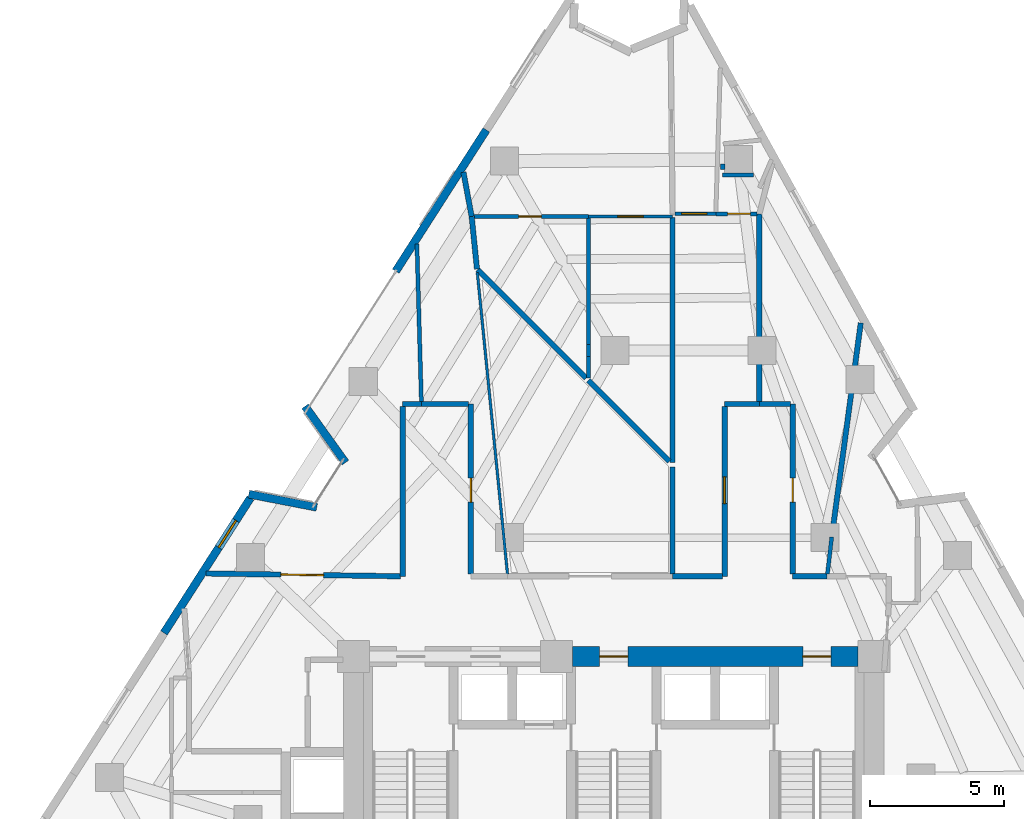
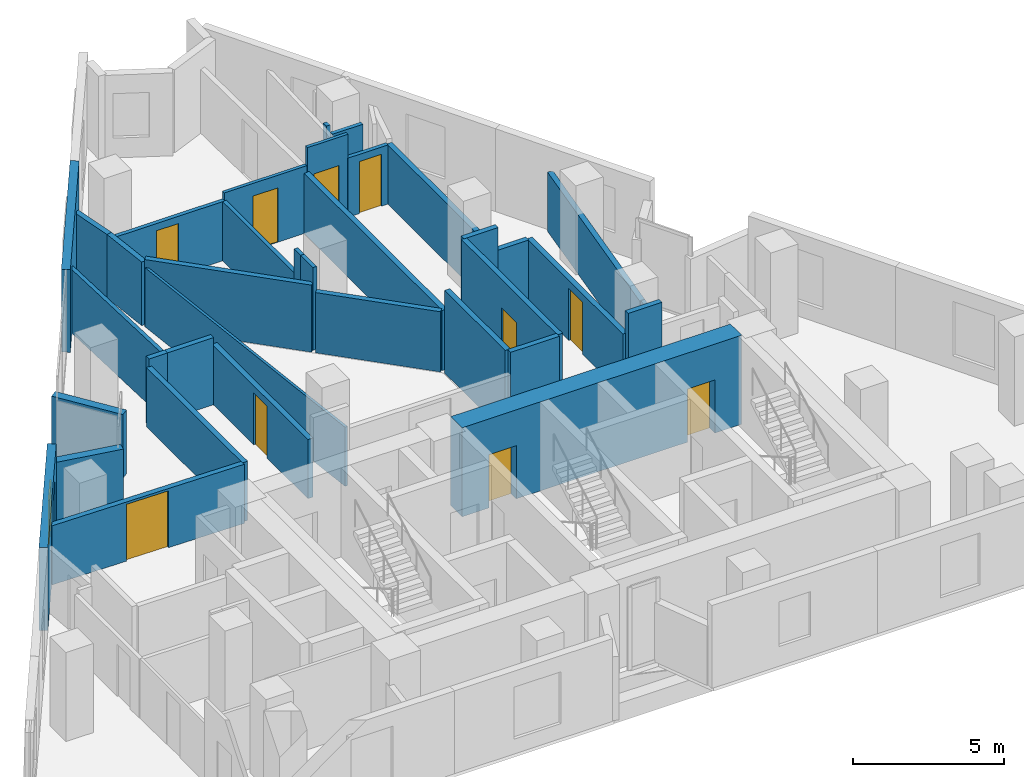
# One storey, part 7 of 10: 36 walls, 10 doors, 1 window, 11 openings.
"""IFC4 building model written with IfcOpenShell, lengths in metres."""

from ifc_helpers import new_model, si_unit, direction, frame, frame_2d, origin, place, context, subcontext, project, spatial, rectangle, extrude, material, layer, layer_set, type_object, element, fill, save


model = new_model("IFC4")

# Units and contexts
model_context = context("Model", 3, precision=1e-05, world=origin(), true_north=direction((0.0, 1.0)))
body_context = subcontext(model_context, "Body", "Model", "MODEL_VIEW")
ifc_project = project(units=[si_unit("LENGTHUNIT", "METRE"), si_unit("AREAUNIT", "SQUARE_METRE"), si_unit("VOLUMEUNIT", "CUBIC_METRE"), si_unit("PLANEANGLEUNIT", "RADIAN"), si_unit("MASSUNIT", "GRAM", prefix="KILO")], contexts=[model_context])

# Site, building, storey
site_placement = place(None, origin())
site = spatial("IfcSite", under=ifc_project, at=site_placement, CompositionType="ELEMENT")
building_placement = place(site_placement, origin())
building = spatial("IfcBuilding", under=site, at=building_placement, Name="Almagre Mirador Tower", CompositionType="ELEMENT")
storey_placement = place(building_placement, frame((0.0, 0.0, 164.39990234375)))
storey = spatial("IfcBuildingStorey", under=building, at=storey_placement, Name="L42", CompositionType="ELEMENT", Elevation=164.39990234375)

# Walls
ifc_material_1 = material(Name="Precast concrete C50/60", Category="concrete")
ifc_layer_1 = layer(ifc_material_1, 0.300048828125)
ifc_layer_set_1 = layer_set([ifc_layer_1], Name="Precast concrete C50/60")
wall_type_1 = type_object("IfcWallType", Name="WAL-EXT-300", PredefinedType="SOLIDWALL", material=ifc_layer_set_1)
wall_1_placement = place(storey_placement, frame((23.6376953125, 20.82666015625, 0.0), z_axis=(0.0, 0.0, 1.0), x_axis=(0.981746971615, -0.190191702567, 0.0)))
element("IfcWall", 1, at=wall_1_placement, inside=storey, type_object=wall_type_1, Name="L42 expressed almagre precast frame wall 01", PredefinedType="SOLIDWALL", context=body_context, shape_type="SweptSolid", body=[
    extrude(rectangle(XDim=2.593017578125, YDim=0.300048828125, at=frame_2d((1.29638671875, 0.0))), origin(), (0.0, 0.0, 1.0), 2.5751953125),
])
wall_2_placement = place(storey_placement, frame((27.255615234375, 22.00634765625, 0.0), z_axis=(0.0, 0.0, 1.0), x_axis=(-0.58299973372, 0.812472344442, 0.0)))
element("IfcWall", 2, at=wall_2_placement, inside=storey, type_object=wall_type_1, Name="L42 expressed almagre precast frame wall 02", PredefinedType="SOLIDWALL", context=body_context, shape_type="SweptSolid", body=[
    extrude(rectangle(XDim=2.59375, YDim=0.300048828125, at=frame_2d((1.296875, 0.0))), origin(), (0.0, 0.0, 1.0), 2.5751953125),
])
wall_3_placement = place(storey_placement, frame((29.138916015625, 29.17138671875, 0.0), z_axis=(0.0, 0.0, 1.0), x_axis=(0.539533329528, 0.841964242904, 0.0)))
element("IfcWall", 3, at=wall_3_placement, inside=storey, type_object=wall_type_1, Name="L42 expressed almagre precast frame wall 03", PredefinedType="SOLIDWALL", context=body_context, shape_type="SweptSolid", body=[
    extrude(rectangle(XDim=6.281982421875, YDim=0.300048828125, at=frame_2d((3.14111328125, 0.0))), origin(), (0.0, 0.0, 1.0), 3.35009765625),
])

# Wall, opening, window
wall_4_placement = place(storey_placement, frame((20.461181640625, 15.628662109375, 0.0), z_axis=(0.0, 0.0, 1.0), x_axis=(0.539533786056, 0.841963950359, 0.0)))
wall_4 = element("IfcWall", 4, at=wall_4_placement, inside=storey, type_object=wall_type_1, Name="L42 expressed almagre precast frame wall 35", PredefinedType="SOLIDWALL", context=body_context, shape_type="SweptSolid", body=[
    extrude(rectangle(XDim=6.001953125, YDim=0.300048828125, at=frame_2d((3.0009765625, 0.0))), origin(), (0.0, 0.0, 1.0), 3.35009765625),
])
opening_1_placement = place(wall_4_placement, frame((3.800048828125, 0.0, 0.800048828125)))
opening_1 = element("IfcOpeningElement", 5, at=opening_1_placement, cuts=wall_4, Name="Opening WN-04", PredefinedType="OPENING", context=body_context, shape_type="SweptSolid", body=[
    extrude(rectangle(XDim=1.199951171875, YDim=1.800048828125, at=frame_2d((0.60009765625, 0.89990234375))), frame((0.0, 0.159902, 0.0), z_axis=(0.0, -1.0, 0.0), x_axis=(1.0, 0.0, 0.0)), (0.0, 0.0, 1.0), 0.320049),
])
ifc_material_2 = material(Name="Dark solar-control laminated hurricane glass", Category="glass")
window_type = type_object("IfcWindowType", Name="WIN-1200X1800", PartitioningType="SINGLE_PANEL", PredefinedType="WINDOW", material=ifc_material_2)
window_placement = place(opening_1_placement, origin())
window = element("IfcWindow", 6, at=window_placement, inside=storey, type_object=window_type, Name="L42 recessed hurricane window L42-RST-E", OverallHeight=1.800048828125, OverallWidth=1.199951171875, PartitioningType="SINGLE_PANEL", PredefinedType="WINDOW", context=body_context, shape_type="SweptSolid", body=[
    extrude(rectangle(XDim=1.199951171875, YDim=1.800048828125, at=frame_2d((0.60009765625, 0.89990234375))), frame((0.0, 0.030029296875, 0.0), z_axis=(0.0, -1.0, 0.0), x_axis=(1.0, 0.0, 0.0)), (0.0, 0.0, 1.0), 0.06005859375),
])
fill(opening_1, window)

# Wall
ifc_material_3 = material(Name="Gypsum acoustic stud partition", Category="other")
ifc_layer_2 = layer(ifc_material_3, 0.10009765625)
ifc_layer_set_2 = layer_set([ifc_layer_2], Name="Gypsum acoustic stud partition")
wall_type_2 = type_object("IfcWallType", Name="WAL-PRT-100-CLS", PredefinedType="PARTITIONING", material=ifc_layer_set_2)
wall_5_placement = place(storey_placement, frame((33.321533203125, 17.834716796875, 0.0), z_axis=(0.0, 0.0, 1.0), x_axis=(-0.099510112586, 0.995036550833, 0.0)))
element("IfcWall", 7, at=wall_5_placement, inside=storey, type_object=wall_type_2, Name="L42 interior partition 044", PredefinedType="PARTITIONING", context=body_context, shape_type="SweptSolid", body=[
    extrude(rectangle(XDim=11.34228515625, YDim=0.10009765625, at=frame_2d((5.671142578125, 0.0))), origin(), (0.0, 0.0, 1.0), 2.39306640625),
])

# Wall, opening, door
ifc_material_4 = material(Name="Gypsum acoustic stud partition", Category="other")
ifc_layer_3 = layer(ifc_material_4, 0.125)
ifc_layer_set_3 = layer_set([ifc_layer_3], Name="Gypsum acoustic stud partition")
wall_type_3 = type_object("IfcWallType", Name="WAL-PRT-125-UTL", PredefinedType="PARTITIONING", material=ifc_layer_set_3)
wall_6_placement = place(storey_placement, frame((36.35009765625, 31.219970703125, 0.0), z_axis=(0.0, 0.0, 1.0), x_axis=(1.0, 0.0, 0.0)))
wall_6 = element("IfcWall", 8, at=wall_6_placement, inside=storey, type_object=wall_type_3, Name="L42 interior partition 053", PredefinedType="PARTITIONING", context=body_context, shape_type="SweptSolid", body=[
    extrude(rectangle(XDim=3.14990234375, YDim=0.125, at=frame_2d((1.574951171875, 0.0))), origin(), (0.0, 0.0, 1.0), 2.712158203125),
])
opening_2_placement = place(wall_6_placement, frame((1.10009765625, 0.0, 0.0)))
opening_2 = element("IfcOpeningElement", 9, at=opening_2_placement, cuts=wall_6, Name="Opening UD-01", PredefinedType="OPENING", context=body_context, shape_type="SweptSolid", body=[
    extrude(rectangle(XDim=0.949951171875, YDim=2.199951171875, at=frame_2d((0.47509765625, 1.10009765625))), frame((0.0, 0.0725, 0.0), z_axis=(0.0, -1.0, 0.0), x_axis=(1.0, 0.0, 0.0)), (0.0, 0.0, 1.0), 0.145),
])
ifc_material_5 = material(Name="Solid American walnut timber", Category="wood")
door_type_1 = type_object("IfcDoorType", Name="DOR-UNR-950X2200", OperationType="NOTDEFINED", PredefinedType="DOOR", material=ifc_material_5)
door_1_placement = place(opening_2_placement, origin())
door_1 = element("IfcDoor", 10, at=door_1_placement, inside=storey, type_object=door_type_1, Name="DR-1358 L42 interior door L42-UJ-ST to L42-UJ-KT", OperationType="SINGLE_SWING_RIGHT", OverallHeight=2.199951171875, OverallWidth=0.949951171875, PredefinedType="DOOR", context=body_context, shape_type="SweptSolid", body=[
    extrude(rectangle(XDim=0.949951171875, YDim=2.199951171875, at=frame_2d((0.47509765625, 1.10009765625))), frame((0.0, 0.02490234375, 0.0), z_axis=(0.0, -1.0, 0.0), x_axis=(1.0, 0.0, 0.0)), (0.0, 0.0, 1.0), 0.050048828125),
])
fill(opening_2, door_1)

wall_7_placement = place(storey_placement, frame((41.1298828125, 31.320068359375, 0.0), z_axis=(0.0, 0.0, 1.0), x_axis=(-1.0, 0.0, 0.0)))
wall_7 = element("IfcWall", 11, at=wall_7_placement, inside=storey, type_object=wall_type_3, Name="L42 interior partition 058", PredefinedType="PARTITIONING", context=body_context, shape_type="SweptSolid", body=[
    extrude(rectangle(XDim=1.544921875, YDim=0.125, at=frame_2d((0.7724609375, 0.0))), origin(), (0.0, 0.0, 1.0), 3.35009765625),
])
opening_3_placement = place(wall_7_placement, frame((0.340087890625, 0.0, 0.0)))
opening_3 = element("IfcOpeningElement", 12, at=opening_3_placement, cuts=wall_7, Name="Opening UD-01", PredefinedType="OPENING", context=body_context, shape_type="SweptSolid", body=[
    extrude(rectangle(XDim=0.949951171875, YDim=2.199951171875, at=frame_2d((0.47509765625, 1.10009765625))), frame((0.0, 0.0725, 0.0), z_axis=(0.0, -1.0, 0.0), x_axis=(1.0, 0.0, 0.0)), (0.0, 0.0, 1.0), 0.145),
])
door_2_placement = place(opening_3_placement, origin())
door_2 = element("IfcDoor", 13, at=door_2_placement, inside=storey, type_object=door_type_1, Name="DR-1361 L42 interior door L42-UK-ST to L42-UK-KT", OperationType="SINGLE_SWING_LEFT", OverallHeight=2.199951171875, OverallWidth=0.949951171875, PredefinedType="DOOR", context=body_context, shape_type="SweptSolid", body=[
    extrude(rectangle(XDim=0.949951171875, YDim=2.199951171875, at=frame_2d((0.47509765625, 1.10009765625))), frame((0.0, 0.02490234375, 0.0), z_axis=(0.0, -1.0, 0.0), x_axis=(1.0, 0.0, 0.0)), (0.0, 0.0, 1.0), 0.050048828125),
])
fill(opening_3, door_2)

# Walls
ifc_material_6 = material(Name="Gypsum acoustic stud partition", Category="other")
ifc_layer_4 = layer(ifc_material_6, 0.14990234375)
ifc_layer_set_4 = layer_set([ifc_layer_4], Name="Gypsum acoustic stud partition")
wall_type_4 = type_object("IfcWallType", Name="WAL-PRT-150-STD", PredefinedType="PARTITIONING", material=ifc_layer_set_4)
wall_8_placement = place(storey_placement, frame((45.4599609375, 19.219970703125, 0.0), z_axis=(0.0, 0.0, 1.0), x_axis=(-0.114830071869, -0.993385149172, 0.0)))
element("IfcWall", 14, at=wall_8_placement, inside=storey, type_object=wall_type_4, Name="L42 interior partition 040", PredefinedType="PARTITIONING", context=body_context, shape_type="SweptSolid", body=[
    extrude(rectangle(XDim=1.394775390625, YDim=0.14990234375, at=frame_2d((0.697265625, 0.0))), origin(), (0.0, 0.0, 1.0), 2.43603515625),
])
wall_9_placement = place(storey_placement, frame((30.098388671875, 24.284912109375, 0.0), z_axis=(0.0, 0.0, 1.0), x_axis=(-0.02836031544, 0.999597765358, 0.0)))
element("IfcWall", 15, at=wall_9_placement, inside=storey, type_object=wall_type_4, Name="L42 interior partition 043", PredefinedType="PARTITIONING", context=body_context, shape_type="SweptSolid", body=[
    extrude(rectangle(XDim=5.905517578125, YDim=0.14990234375, at=frame_2d((2.95263671875, 0.0))), origin(), (0.0, 0.0, 1.0), 2.570068359375),
])

# Wall, opening, door
wall_10_placement = place(storey_placement, frame((32.06494140625, 31.219970703125, 0.0), z_axis=(0.0, 0.0, 1.0), x_axis=(1.0, 0.0, 0.0)))
wall_10 = element("IfcWall", 16, at=wall_10_placement, inside=storey, type_object=wall_type_4, Name="L42 interior partition 052", PredefinedType="PARTITIONING", context=body_context, shape_type="SweptSolid", body=[
    extrude(rectangle(XDim=4.28515625, YDim=0.14990234375, at=frame_2d((2.142578125, 0.0))), origin(), (0.0, 0.0, 1.0), 2.39306640625),
])
opening_4_placement = place(wall_10_placement, frame((1.675048828125, 0.0, 0.0)))
opening_4 = element("IfcOpeningElement", 17, at=opening_4_placement, cuts=wall_10, Name="Opening UD-04", PredefinedType="OPENING", context=body_context, shape_type="SweptSolid", body=[
    extrude(rectangle(XDim=0.85009765625, YDim=2.10009765625, at=frame_2d((0.425048828125, 1.050048828125))), frame((0.0, 0.084951, 0.0), z_axis=(0.0, -1.0, 0.0), x_axis=(1.0, 0.0, 0.0)), (0.0, 0.0, 1.0), 0.169902),
])
ifc_material_7 = material(Name="Moisture-resistant oak timber", Category="wood")
door_type_2 = type_object("IfcDoorType", Name="DOR-UNR-850X2100", OperationType="NOTDEFINED", PredefinedType="DOOR", material=ifc_material_7)
door_3_placement = place(opening_4_placement, origin())
door_3 = element("IfcDoor", 18, at=door_3_placement, inside=storey, type_object=door_type_2, Name="DR-1359 L42 interior door L42-UJ-ST to L42-UJ-BT", OperationType="SINGLE_SWING_LEFT", OverallHeight=2.10009765625, OverallWidth=0.85009765625, PredefinedType="DOOR", context=body_context, shape_type="SweptSolid", body=[
    extrude(rectangle(XDim=0.85009765625, YDim=2.10009765625, at=frame_2d((0.425048828125, 1.050048828125))), frame((0.0, 0.02490234375, 0.0), z_axis=(0.0, -1.0, 0.0), x_axis=(1.0, 0.0, 0.0)), (0.0, 0.0, 1.0), 0.050048828125),
])
fill(opening_4, door_3)

# Walls
wall_11_placement = place(storey_placement, frame((36.35009765625, 25.1650390625, 0.0), z_axis=(0.0, 0.0, 1.0), x_axis=(0.0, 1.0, 0.0)))
element("IfcWall", 19, at=wall_11_placement, inside=storey, type_object=wall_type_4, Name="L42 interior partition 055", PredefinedType="PARTITIONING", context=body_context, shape_type="SweptSolid", body=[
    extrude(rectangle(XDim=0.81494140625, YDim=0.14990234375, at=frame_2d((0.407470703125, 0.0))), origin(), (0.0, 0.0, 1.0), 3.35009765625),
])
wall_12_placement = place(storey_placement, frame((36.35009765625, 26.419921875, 0.0), z_axis=(0.0, 0.0, 1.0), x_axis=(0.0, 1.0, 0.0)))
element("IfcWall", 20, at=wall_12_placement, inside=storey, type_object=wall_type_4, Name="L42 interior partition 056", PredefinedType="PARTITIONING", context=body_context, shape_type="SweptSolid", body=[
    extrude(rectangle(XDim=4.739990234375, YDim=0.14990234375, at=frame_2d((2.3701171875, 0.0))), origin(), (0.0, 0.0, 1.0), 2.39306640625),
])

# Wall, opening, door
wall_13_placement = place(storey_placement, frame((42.6650390625, 31.320068359375, 0.0), z_axis=(0.0, 0.0, 1.0), x_axis=(-1.0, 0.0, 0.0)))
wall_13 = element("IfcWall", 21, at=wall_13_placement, inside=storey, type_object=wall_type_4, Name="L42 interior partition 059", PredefinedType="PARTITIONING", context=body_context, shape_type="SweptSolid", body=[
    extrude(rectangle(XDim=1.544921875, YDim=0.14990234375, at=frame_2d((0.7724609375, 0.0))), origin(), (0.0, 0.0, 1.0), 2.39306640625),
])
opening_5_placement = place(wall_13_placement, frame((0.2548828125, 0.0, 0.0)))
opening_5 = element("IfcOpeningElement", 22, at=opening_5_placement, cuts=wall_13, Name="Opening UD-04", PredefinedType="OPENING", context=body_context, shape_type="SweptSolid", body=[
    extrude(rectangle(XDim=0.85009765625, YDim=2.10009765625, at=frame_2d((0.425048828125, 1.050048828125))), frame((0.0, 0.084951, 0.0), z_axis=(0.0, -1.0, 0.0), x_axis=(1.0, 0.0, 0.0)), (0.0, 0.0, 1.0), 0.169902),
])
door_4_placement = place(opening_5_placement, origin())
door_4 = element("IfcDoor", 23, at=door_4_placement, inside=storey, type_object=door_type_2, Name="DR-1362 L42 interior door L42-UK-ST to L42-UK-BT", OperationType="SINGLE_SWING_RIGHT", OverallHeight=2.10009765625, OverallWidth=0.85009765625, PredefinedType="DOOR", context=body_context, shape_type="SweptSolid", body=[
    extrude(rectangle(XDim=0.85009765625, YDim=2.10009765625, at=frame_2d((0.425048828125, 1.050048828125))), frame((0.0, 0.02490234375, 0.0), z_axis=(0.0, -1.0, 0.0), x_axis=(1.0, 0.0, 0.0)), (0.0, 0.0, 1.0), 0.050048828125),
])
fill(opening_5, door_4)

# Walls
wall_14_placement = place(storey_placement, frame((36.35009765625, 25.97998046875, 0.0), z_axis=(0.0, 0.0, 1.0), x_axis=(0.0, 1.0, 0.0)))
element("IfcWall", 24, at=wall_14_placement, inside=storey, type_object=wall_type_4, Name="L42 interior partition 063", PredefinedType="PARTITIONING", context=body_context, shape_type="SweptSolid", body=[
    extrude(rectangle(XDim=0.43994140625, YDim=0.14990234375, at=frame_2d((0.219970703125, 0.0))), origin(), (0.0, 0.0, 1.0), 3.35009765625),
])
wall_15_placement = place(storey_placement, frame((42.534912109375, 32.77001953125, 0.0), z_axis=(0.0, 0.0, 1.0), x_axis=(-1.0, 0.0, 0.0)))
element("IfcWall", 25, at=wall_15_placement, inside=storey, type_object=wall_type_4, Name="L42 interior partition 065", PredefinedType="PARTITIONING", context=body_context, shape_type="SweptSolid", body=[
    extrude(rectangle(XDim=1.155029296875, YDim=0.14990234375, at=frame_2d((0.57763671875, 0.0))), origin(), (0.0, 0.0, 1.0), 2.39306640625),
])
wall_16_placement = place(storey_placement, frame((41.3798828125, 32.985107421875, 0.0), z_axis=(0.0, 0.0, 1.0), x_axis=(0.0, 1.0, 0.0)))
element("IfcWall", 26, at=wall_16_placement, inside=storey, type_object=wall_type_4, Name="L42 interior partition 066", PredefinedType="PARTITIONING", context=body_context, shape_type="SweptSolid", body=[
    extrude(rectangle(XDim=0.206787109375, YDim=0.14990234375, at=frame_2d((0.103515625, 0.0))), origin(), (0.0, 0.0, 1.0), 2.570068359375),
])
ifc_material_8 = material(Name="Gypsum acoustic stud partition", Category="other")
ifc_layer_5 = layer(ifc_material_8, 0.199951171875)
ifc_layer_set_5 = layer_set([ifc_layer_5], Name="Gypsum acoustic stud partition")
wall_type_5 = type_object("IfcWallType", Name="WAL-PRT-200-EI60", PredefinedType="PARTITIONING", material=ifc_layer_set_5)
wall_17_placement = place(storey_placement, frame((30.10009765625, 24.199951171875, 0.0), z_axis=(0.0, 0.0, 1.0), x_axis=(-1.0, 0.0, 0.0)))
element("IfcWall", 27, at=wall_17_placement, inside=storey, type_object=wall_type_5, Name="L42 interior partition 007", PredefinedType="PARTITIONING", context=body_context, shape_type="SweptSolid", body=[
    extrude(rectangle(XDim=0.7001953125, YDim=0.199951171875, at=frame_2d((0.35009765625, 0.0))), origin(), (0.0, 0.0, 1.0), 2.712158203125),
])
wall_18_placement = place(storey_placement, frame((29.39990234375, 24.114990234375, 0.0), z_axis=(0.0, 0.0, 1.0), x_axis=(0.0, -1.0, 0.0)))
element("IfcWall", 28, at=wall_18_placement, inside=storey, type_object=wall_type_5, Name="L42 interior partition 008", PredefinedType="PARTITIONING", context=body_context, shape_type="SweptSolid", body=[
    extrude(rectangle(XDim=6.364990234375, YDim=0.199951171875, at=frame_2d((3.1826171875, 0.0))), origin(), (0.0, 0.0, 1.0), 2.39306640625),
])

# Wall, opening, door
wall_19_placement = place(storey_placement, frame((29.31494140625, 17.7509765625, 0.0), z_axis=(0.0, 0.0, 1.0), x_axis=(-0.999898159275, 0.014271337684, 0.0)))
wall_19 = element("IfcWall", 29, at=wall_19_placement, inside=storey, type_object=wall_type_5, Name="L42 interior partition 009", PredefinedType="PARTITIONING", context=body_context, shape_type="SweptSolid", body=[
    extrude(rectangle(XDim=7.28759765625, YDim=0.199951171875, at=frame_2d((3.643798828125, 0.0))), origin(), (0.0, 0.0, 1.0), 2.39306640625),
])
opening_6_placement = place(wall_19_placement, frame((2.878662109375, 0.0, 0.0)))
opening_6 = element("IfcOpeningElement", 30, at=opening_6_placement, cuts=wall_19, Name="Opening ID-05", PredefinedType="OPENING", context=body_context, shape_type="SweptSolid", body=[
    extrude(rectangle(XDim=1.60009765625, YDim=2.300048828125, at=frame_2d((0.800048828125, 1.14990234375))), frame((0.0, 0.110098, 0.0), z_axis=(0.0, -1.0, 0.0), x_axis=(1.0, 0.0, 0.0)), (0.0, 0.0, 1.0), 0.219951),
])
ifc_material_9 = material(Name="Fire-rated acoustic timber", Category="wood")
door_type_3 = type_object("IfcDoorType", Name="DOR-FD60-1600X2300", OperationType="DOUBLE_DOOR_SINGLE_SWING", PredefinedType="DOOR", material=ifc_material_9)
door_5_placement = place(opening_6_placement, origin())
door_5 = element("IfcDoor", 31, at=door_5_placement, inside=storey, type_object=door_type_3, Name="DR-1349 L42 interior door L42-RCOR to L42-RST-E", OperationType="DOUBLE_DOOR_SINGLE_SWING", OverallHeight=2.300048828125, OverallWidth=1.60009765625, PredefinedType="DOOR", context=body_context, shape_type="SweptSolid", body=[
    extrude(rectangle(XDim=1.60009765625, YDim=2.300048828125, at=frame_2d((0.800048828125, 1.14990234375))), frame((0.0, 0.02490234375, 0.0), z_axis=(0.0, -1.0, 0.0), x_axis=(1.0, 0.0, 0.0)), (0.0, 0.0, 1.0), 0.050048828125),
])
fill(opening_6, door_5)

wall_20_placement = place(storey_placement, frame((31.949951171875, 17.8349609375, 0.0), z_axis=(0.0, 0.0, 1.0), x_axis=(0.0, 1.0, 0.0)))
wall_20 = element("IfcWall", 32, at=wall_20_placement, inside=storey, type_object=wall_type_5, Name="L42 interior partition 011", PredefinedType="PARTITIONING", context=body_context, shape_type="SweptSolid", body=[
    extrude(rectangle(XDim=6.364990234375, YDim=0.199951171875, at=frame_2d((3.1826171875, 0.0))), origin(), (0.0, 0.0, 1.0), 2.39306640625),
])
opening_7_placement = place(wall_20_placement, frame((2.68994140625, 0.0, 0.0)))
opening_7 = element("IfcOpeningElement", 33, at=opening_7_placement, cuts=wall_20, Name="Opening ID-03", PredefinedType="OPENING", context=body_context, shape_type="SweptSolid", body=[
    extrude(rectangle(XDim=0.89990234375, YDim=2.10009765625, at=frame_2d((0.449951171875, 1.050048828125))), frame((0.0, 0.110098, 0.0), z_axis=(0.0, -1.0, 0.0), x_axis=(1.0, 0.0, 0.0)), (0.0, 0.0, 1.0), 0.219951),
])
ifc_material_10 = material(Name="Fire-rated hollow steel", Category="steel")
door_type_4 = type_object("IfcDoorType", Name="DOR-FD60-900X2100", OperationType="NOTDEFINED", PredefinedType="DOOR", material=ifc_material_10)
door_6_placement = place(opening_7_placement, origin())
door_6 = element("IfcDoor", 34, at=door_6_placement, inside=storey, type_object=door_type_4, Name="DR-1350 L42 interior door L42-RCOR to L42-RST-F", OperationType="SINGLE_SWING_LEFT", OverallHeight=2.10009765625, OverallWidth=0.89990234375, PredefinedType="DOOR", context=body_context, shape_type="SweptSolid", body=[
    extrude(rectangle(XDim=0.89990234375, YDim=2.10009765625, at=frame_2d((0.449951171875, 1.050048828125))), frame((0.0, 0.02490234375, 0.0), z_axis=(0.0, -1.0, 0.0), x_axis=(1.0, 0.0, 0.0)), (0.0, 0.0, 1.0), 0.050048828125),
])
fill(opening_7, door_6)

# Walls
wall_21_placement = place(storey_placement, frame((31.864990234375, 24.199951171875, 0.0), z_axis=(0.0, 0.0, 1.0), x_axis=(-1.0, 0.0, 0.0)))
element("IfcWall", 35, at=wall_21_placement, inside=storey, type_object=wall_type_5, Name="L42 interior partition 012", PredefinedType="PARTITIONING", context=body_context, shape_type="SweptSolid", body=[
    extrude(rectangle(XDim=1.764892578125, YDim=0.199951171875, at=frame_2d((0.88232421875, 0.0))), origin(), (0.0, 0.0, 1.0), 2.712158203125),
])
wall_22_placement = place(storey_placement, frame((45.2900390625, 17.75, 0.0), z_axis=(0.0, 0.0, 1.0), x_axis=(-1.0, 0.0, 0.0)))
element("IfcWall", 36, at=wall_22_placement, inside=storey, type_object=wall_type_5, Name="L42 interior partition 014", PredefinedType="PARTITIONING", context=body_context, shape_type="SweptSolid", body=[
    extrude(rectangle(XDim=1.2900390625, YDim=0.199951171875, at=frame_2d((0.64501953125, 0.0))), origin(), (0.0, 0.0, 1.0), 3.35009765625),
])

# Wall, opening, door
wall_23_placement = place(storey_placement, frame((44.0, 17.8349609375, 0.0), z_axis=(0.0, 0.0, 1.0), x_axis=(0.0, 1.0, 0.0)))
wall_23 = element("IfcWall", 37, at=wall_23_placement, inside=storey, type_object=wall_type_5, Name="L42 interior partition 015", PredefinedType="PARTITIONING", context=body_context, shape_type="SweptSolid", body=[
    extrude(rectangle(XDim=6.364990234375, YDim=0.199951171875, at=frame_2d((3.1826171875, 0.0))), origin(), (0.0, 0.0, 1.0), 2.43603515625),
])
opening_8_placement = place(wall_23_placement, frame((2.68994140625, 0.0, 0.0)))
opening_8 = element("IfcOpeningElement", 38, at=opening_8_placement, cuts=wall_23, Name="Opening ID-03", PredefinedType="OPENING", context=body_context, shape_type="SweptSolid", body=[
    extrude(rectangle(XDim=0.89990234375, YDim=2.10009765625, at=frame_2d((0.449951171875, 1.050048828125))), frame((0.0, 0.110098, 0.0), z_axis=(0.0, -1.0, 0.0), x_axis=(1.0, 0.0, 0.0)), (0.0, 0.0, 1.0), 0.219951),
])
door_7_placement = place(opening_8_placement, origin())
door_7 = element("IfcDoor", 39, at=door_7_placement, inside=storey, type_object=door_type_4, Name="DR-1352 L42 interior door L42-RCOR to L42-RST-H", OperationType="SINGLE_SWING_LEFT", OverallHeight=2.10009765625, OverallWidth=0.89990234375, PredefinedType="DOOR", context=body_context, shape_type="SweptSolid", body=[
    extrude(rectangle(XDim=0.89990234375, YDim=2.10009765625, at=frame_2d((0.449951171875, 1.050048828125))), frame((0.0, 0.02490234375, 0.0), z_axis=(0.0, -1.0, 0.0), x_axis=(1.0, 0.0, 0.0)), (0.0, 0.0, 1.0), 0.050048828125),
])
fill(opening_8, door_7)

# Walls
wall_24_placement = place(storey_placement, frame((43.9150390625, 24.199951171875, 0.0), z_axis=(0.0, 0.0, 1.0), x_axis=(-1.0, 0.0, 0.0)))
element("IfcWall", 40, at=wall_24_placement, inside=storey, type_object=wall_type_5, Name="L42 interior partition 016", PredefinedType="PARTITIONING", context=body_context, shape_type="SweptSolid", body=[
    extrude(rectangle(XDim=1.1650390625, YDim=0.199951171875, at=frame_2d((0.58251953125, 0.0))), origin(), (0.0, 0.0, 1.0), 2.43603515625),
])
wall_25_placement = place(storey_placement, frame((42.75, 24.199951171875, 0.0), z_axis=(0.0, 0.0, 1.0), x_axis=(-1.0, 0.0, 0.0)))
element("IfcWall", 41, at=wall_25_placement, inside=storey, type_object=wall_type_5, Name="L42 interior partition 017", PredefinedType="PARTITIONING", context=body_context, shape_type="SweptSolid", body=[
    extrude(rectangle(XDim=1.300048828125, YDim=0.199951171875, at=frame_2d((0.64990234375, 0.0))), origin(), (0.0, 0.0, 1.0), 3.35009765625),
])

# Wall, opening, door
wall_26_placement = place(storey_placement, frame((41.449951171875, 24.114990234375, 0.0), z_axis=(0.0, 0.0, 1.0), x_axis=(0.0, -1.0, 0.0)))
wall_26 = element("IfcWall", 42, at=wall_26_placement, inside=storey, type_object=wall_type_5, Name="L42 interior partition 018", PredefinedType="PARTITIONING", context=body_context, shape_type="SweptSolid", body=[
    extrude(rectangle(XDim=6.364990234375, YDim=0.199951171875, at=frame_2d((3.1826171875, 0.0))), origin(), (0.0, 0.0, 1.0), 3.35009765625),
])
opening_9_placement = place(wall_26_placement, frame((2.639892578125, 0.0, 0.0)))
opening_9 = element("IfcOpeningElement", 43, at=opening_9_placement, cuts=wall_26, Name="Opening ID-01", PredefinedType="OPENING", context=body_context, shape_type="SweptSolid", body=[
    extrude(rectangle(XDim=1.0, YDim=2.199951171875, at=frame_2d((0.5, 1.10009765625))), frame((0.0, 0.110098, 0.0), z_axis=(0.0, -1.0, 0.0), x_axis=(1.0, 0.0, 0.0)), (0.0, 0.0, 1.0), 0.219951),
])
ifc_material_11 = material(Name="Fire-rated walnut timber", Category="wood")
door_type_5 = type_object("IfcDoorType", Name="DOR-FD60-1000X2200", OperationType="NOTDEFINED", PredefinedType="DOOR", material=ifc_material_11)
door_8_placement = place(opening_9_placement, origin())
door_8 = element("IfcDoor", 44, at=door_8_placement, inside=storey, type_object=door_type_5, Name="DR-1360 L42 interior door L42-RCOR to L42-UK-ST", OperationType="SINGLE_SWING_RIGHT", OverallHeight=2.199951171875, OverallWidth=1.0, PredefinedType="DOOR", context=body_context, shape_type="SweptSolid", body=[
    extrude(rectangle(XDim=1.0, YDim=2.199951171875, at=frame_2d((0.5, 1.10009765625))), frame((0.0, 0.02490234375, 0.0), z_axis=(0.0, -1.0, 0.0), x_axis=(1.0, 0.0, 0.0)), (0.0, 0.0, 1.0), 0.050048828125),
])
fill(opening_9, door_8)

# Walls
wall_27_placement = place(storey_placement, frame((41.364990234375, 17.75, 0.0), z_axis=(0.0, 0.0, 1.0), x_axis=(-1.0, 0.0, 0.0)))
element("IfcWall", 45, at=wall_27_placement, inside=storey, type_object=wall_type_5, Name="L42 interior partition 019", PredefinedType="PARTITIONING", context=body_context, shape_type="SweptSolid", body=[
    extrude(rectangle(XDim=1.864990234375, YDim=0.199951171875, at=frame_2d((0.9326171875, 0.0))), origin(), (0.0, 0.0, 1.0), 3.35009765625),
])
wall_28_placement = place(storey_placement, frame((46.547119140625, 27.23291015625, 0.0), z_axis=(0.0, 0.0, 1.0), x_axis=(-0.134443567653, -0.990921251723, 0.0)))
element("IfcWall", 46, at=wall_28_placement, inside=storey, type_object=wall_type_5, Name="L42 interior partition 042", PredefinedType="PARTITIONING", context=body_context, shape_type="SweptSolid", body=[
    extrude(rectangle(XDim=8.08642578125, YDim=0.199951171875, at=frame_2d((4.043212890625, 0.0))), origin(), (0.0, 0.0, 1.0), 2.39306640625),
])
wall_29_placement = place(storey_placement, frame((31.97998046875, 31.219970703125, 0.0), z_axis=(0.0, 0.0, 1.0), x_axis=(-0.18235853501, 0.983232101138, 0.0)))
element("IfcWall", 47, at=wall_29_placement, inside=storey, type_object=wall_type_5, Name="L42 interior partition 045", PredefinedType="PARTITIONING", context=body_context, shape_type="SweptSolid", body=[
    extrude(rectangle(XDim=1.688232421875, YDim=0.199951171875, at=frame_2d((0.84423828125, 0.0))), origin(), (0.0, 0.0, 1.0), 2.570068359375),
])
wall_30_placement = place(storey_placement, frame((32.179931640625, 29.25, 0.0), z_axis=(0.0, 0.0, 1.0), x_axis=(-0.100980739114, 0.994888380839, 0.0)))
element("IfcWall", 48, at=wall_30_placement, inside=storey, type_object=wall_type_5, Name="L42 interior partition 046", PredefinedType="PARTITIONING", context=body_context, shape_type="SweptSolid", body=[
    extrude(rectangle(XDim=1.97998046875, YDim=0.199951171875, at=frame_2d((0.989990234375, 0.0))), origin(), (0.0, 0.0, 1.0), 2.570068359375),
])
wall_31_placement = place(storey_placement, frame((36.26171875, 25.16845703125, 0.0), z_axis=(0.0, 0.0, 1.0), x_axis=(-0.707128056834, 0.707085504899, 0.0)))
element("IfcWall", 49, at=wall_31_placement, inside=storey, type_object=wall_type_5, Name="L42 interior partition 047", PredefinedType="PARTITIONING", context=body_context, shape_type="SweptSolid", body=[
    extrude(rectangle(XDim=5.737548828125, YDim=0.199951171875, at=frame_2d((2.86865234375, 0.0))), origin(), (0.0, 0.0, 1.0), 2.712158203125),
])
wall_32_placement = place(storey_placement, frame((39.38330078125, 22.046630859375, 0.0), z_axis=(0.0, 0.0, 1.0), x_axis=(-0.707078324468, 0.70713523676, 0.0)))
element("IfcWall", 50, at=wall_32_placement, inside=storey, type_object=wall_type_5, Name="L42 interior partition 048", PredefinedType="PARTITIONING", context=body_context, shape_type="SweptSolid", body=[
    extrude(rectangle(XDim=4.289794921875, YDim=0.199951171875, at=frame_2d((2.14501953125, 0.0))), origin(), (0.0, 0.0, 1.0), 2.43603515625),
])
wall_33_placement = place(storey_placement, frame((39.5, 17.8349609375, 0.0), z_axis=(0.0, 0.0, 1.0), x_axis=(0.0, 1.0, 0.0)))
element("IfcWall", 51, at=wall_33_placement, inside=storey, type_object=wall_type_5, Name="L42 interior partition 049", PredefinedType="PARTITIONING", context=body_context, shape_type="SweptSolid", body=[
    extrude(rectangle(XDim=4.010009765625, YDim=0.199951171875, at=frame_2d((2.0048828125, 0.0))), origin(), (0.0, 0.0, 1.0), 3.35009765625),
])
wall_34_placement = place(storey_placement, frame((42.75, 31.320068359375, 0.0), z_axis=(0.0, 0.0, 1.0), x_axis=(0.0, -1.0, 0.0)))
element("IfcWall", 52, at=wall_34_placement, inside=storey, type_object=wall_type_5, Name="L42 interior partition 050", PredefinedType="PARTITIONING", context=body_context, shape_type="SweptSolid", body=[
    extrude(rectangle(XDim=7.03515625, YDim=0.199951171875, at=frame_2d((3.517578125, 0.0))), origin(), (0.0, 0.0, 1.0), 2.39306640625),
])
wall_35_placement = place(storey_placement, frame((39.5, 22.014892578125, 0.0), z_axis=(0.0, 0.0, 1.0), x_axis=(0.0, 1.0, 0.0)))
element("IfcWall", 53, at=wall_35_placement, inside=storey, type_object=wall_type_5, Name="L42 interior partition 057", PredefinedType="PARTITIONING", context=body_context, shape_type="SweptSolid", body=[
    extrude(rectangle(XDim=9.15771484375, YDim=0.199951171875, at=frame_2d((4.578857421875, 0.0))), origin(), (0.0, 0.0, 1.0), 2.43603515625),
])

# Wall, openings, doors
ifc_material_12 = material(Name="Concrete C60/75", Category="concrete")
ifc_layer_6 = layer(ifc_material_12, 0.75)
ifc_layer_set_6 = layer_set([ifc_layer_6], Name="Concrete C60/75")
wall_type_6 = type_object("IfcWallType", Name="WAL-SHR-750", PredefinedType="SHEAR", material=ifc_layer_set_6)
wall_36_placement = place(storey_placement, frame((35.75, 14.75, 0.0), z_axis=(0.0, 0.0, 1.0), x_axis=(1.0, 0.0, 0.0)))
wall_36 = element("IfcWall", 54, at=wall_36_placement, inside=storey, type_object=wall_type_6, Name="L42 core shear wall N2", PredefinedType="SHEAR", context=body_context, shape_type="SweptSolid", body=[
    extrude(rectangle(XDim=10.699951171875, YDim=0.75, at=frame_2d((5.35009765625, 0.0))), origin(), (0.0, 0.0, 1.0), 3.60009765625),
])
opening_10_placement = place(wall_36_placement, frame((1.02490234375, 0.0, 0.0)))
opening_10 = element("IfcOpeningElement", 55, at=opening_10_placement, cuts=wall_36, Name="Opening SD-01", PredefinedType="OPENING", context=body_context, shape_type="SweptSolid", body=[
    extrude(rectangle(XDim=1.050048828125, YDim=2.14990234375, at=frame_2d((0.52490234375, 1.074951171875))), frame((0.0, 0.385, 0.0), z_axis=(0.0, -1.0, 0.0), x_axis=(1.0, 0.0, 0.0)), (0.0, 0.0, 1.0), 0.77),
])
opening_11_placement = place(wall_36_placement, frame((8.625, 0.0, 0.0)))
opening_11 = element("IfcOpeningElement", 56, at=opening_11_placement, cuts=wall_36, Name="Opening SD-01", PredefinedType="OPENING", context=body_context, shape_type="SweptSolid", body=[
    extrude(rectangle(XDim=1.050048828125, YDim=2.14990234375, at=frame_2d((0.52490234375, 1.074951171875))), frame((0.0, 0.385, 0.0), z_axis=(0.0, -1.0, 0.0), x_axis=(1.0, 0.0, 0.0)), (0.0, 0.0, 1.0), 0.77),
])
ifc_material_13 = material(Name="Fire-rated hollow steel", Category="steel")
door_type_6 = type_object("IfcDoorType", Name="DOR-ST-1050X2150", OperationType="NOTDEFINED", PredefinedType="DOOR", material=ifc_material_13)
door_9_placement = place(opening_10_placement, origin())
door_9 = element("IfcDoor", 57, at=door_9_placement, inside=storey, type_object=door_type_6, Name="DR-1369 L42 protected exit stair ST-2 door", OperationType="SINGLE_SWING_RIGHT", OverallHeight=2.14990234375, OverallWidth=1.050048828125, PredefinedType="DOOR", context=body_context, shape_type="SweptSolid", body=[
    extrude(rectangle(XDim=1.050048828125, YDim=2.14990234375, at=frame_2d((0.52490234375, 1.074951171875))), frame((0.0, 0.02490234375, 0.0), z_axis=(0.0, -1.0, 0.0), x_axis=(1.0, 0.0, 0.0)), (0.0, 0.0, 1.0), 0.050048828125),
])
fill(opening_10, door_9)
door_10_placement = place(opening_11_placement, origin())
door_10 = element("IfcDoor", 58, at=door_10_placement, inside=storey, type_object=door_type_6, Name="DR-1370 L42 protected exit stair ST-3 door", OperationType="SINGLE_SWING_LEFT", OverallHeight=2.14990234375, OverallWidth=1.050048828125, PredefinedType="DOOR", context=body_context, shape_type="SweptSolid", body=[
    extrude(rectangle(XDim=1.050048828125, YDim=2.14990234375, at=frame_2d((0.52490234375, 1.074951171875))), frame((0.0, 0.02490234375, 0.0), z_axis=(0.0, -1.0, 0.0), x_axis=(1.0, 0.0, 0.0)), (0.0, 0.0, 1.0), 0.050048828125),
])
fill(opening_11, door_10)

save(model, "model.ifc")
